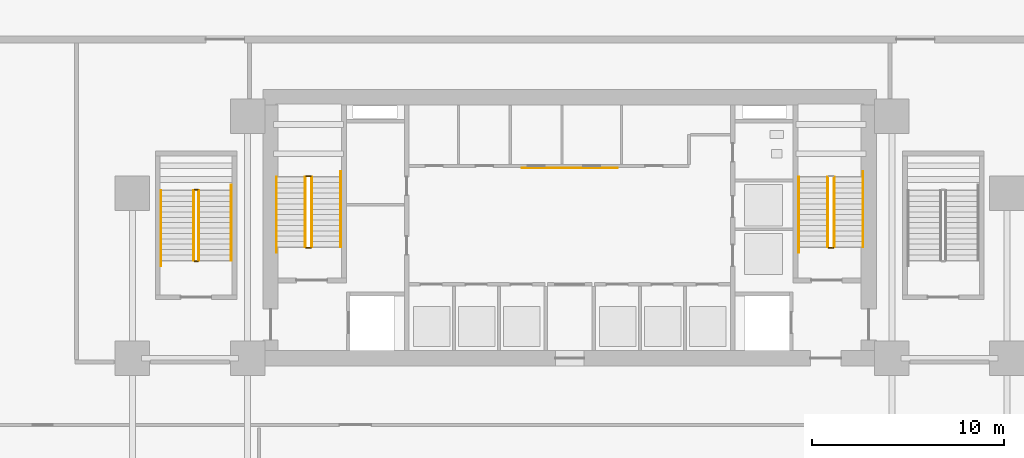
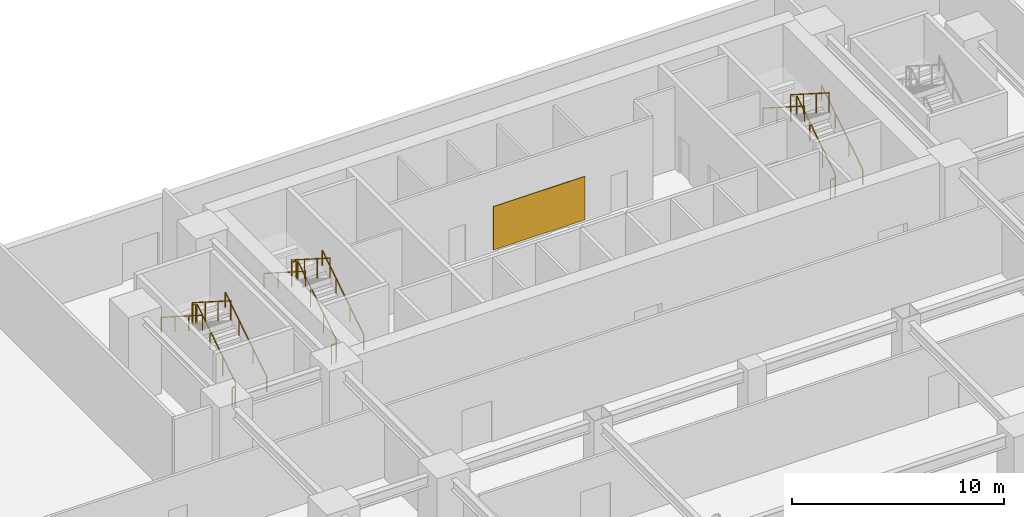
# One storey, part 14 of 18: 17 railings, 1 covering.
"""IFC4 building model written with IfcOpenShell, lengths in metres."""

from ifc_helpers import new_model, si_unit, direction, frame, origin, origin_2d, place, context, subcontext, project, spatial, rectangle, extrude, source, transform, mapped, material, layer, layer_set, type_object, element, save


model = new_model("IFC4")

# Units and contexts
model_context = context("Model", 3, precision=1e-05, world=origin(), true_north=direction((0.0, 1.0)))
body_context = subcontext(model_context, "Body", "Model", "MODEL_VIEW")
ifc_project = project(units=[si_unit("LENGTHUNIT", "METRE"), si_unit("AREAUNIT", "SQUARE_METRE"), si_unit("VOLUMEUNIT", "CUBIC_METRE"), si_unit("PLANEANGLEUNIT", "RADIAN"), si_unit("MASSUNIT", "GRAM", prefix="KILO")], contexts=[model_context])

# Site, building, storey
site_placement = place(None, origin())
site = spatial("IfcSite", under=ifc_project, at=site_placement, CompositionType="ELEMENT")
building_placement = place(site_placement, origin())
building = spatial("IfcBuilding", under=site, at=building_placement, Name="Sumidabori Civic Tower", CompositionType="ELEMENT")
storey_placement = place(building_placement, origin())
storey = spatial("IfcBuildingStorey", under=building, at=storey_placement, Name="L00", CompositionType="ELEMENT", Elevation=0.0)

# Railings
ifc_material_1 = material(Name="Stainless Steel Hairline Finish", Category="steel")
railing_type_1 = type_object("IfcRailingType", Name="RL-HANDRAIL", PredefinedType="HANDRAIL", material=ifc_material_1)
railing_1_placement = place(storey_placement, frame((-11.949951171875, 16.0, 0.178466796875)))
element("IfcRailing", 1, at=railing_1_placement, inside=storey, type_object=railing_type_1, Name="L00 ST-1 stair handrail 1", PredefinedType="HANDRAIL", context=body_context, shape_type="SweptSolid", body=[
    extrude(rectangle(XDim=0.048095703125, YDim=0.048095703125, at=origin_2d()), frame((0.0, 0.0, 0.8759765625), z_axis=(0.0, 0.842743883788, 0.53831472796), x_axis=(-1.0, 0.0, 0.0)), (0.0, 0.0, 1.0), 4.6513671875),
    extrude(rectangle(XDim=0.0419921875, YDim=0.0419921875, at=origin_2d()), origin(), (0.0, 0.0, 1.0), 0.851806640625),
    extrude(rectangle(XDim=0.0419921875, YDim=0.0419921875, at=origin_2d()), frame((0.0, 1.306640625, 0.834716796875)), (0.0, 0.0, 1.0), 0.851806640625),
    extrude(rectangle(XDim=0.0419921875, YDim=0.0419921875, at=origin_2d()), frame((0.0, 2.61328125, 1.669189453125)), (0.0, 0.0, 1.0), 0.851806640625),
    extrude(rectangle(XDim=0.0419921875, YDim=0.0419921875, at=origin_2d()), frame((0.0, 3.919921875, 2.50390625)), (0.0, 0.0, 1.0), 0.851806640625),
])
railing_2_placement = place(storey_placement, frame((-15.2900390625, 19.639892578125, 2.678466796875)))
element("IfcRailing", 2, at=railing_2_placement, inside=storey, type_object=railing_type_1, Name="L00 ST-1 stair handrail 2", PredefinedType="HANDRAIL", context=body_context, shape_type="SweptSolid", body=[
    extrude(rectangle(XDim=0.048095703125, YDim=0.048095703125, at=origin_2d()), frame((0.0, 0.0, 0.8759765625), z_axis=(0.0, -0.842743883788, 0.53831472796), x_axis=(1.0, 0.0, 0.0)), (0.0, 0.0, 1.0), 4.6513671875),
    extrude(rectangle(XDim=0.0419921875, YDim=0.0419921875, at=origin_2d()), origin(), (0.0, 0.0, 1.0), 0.851806640625),
    extrude(rectangle(XDim=0.0419921875, YDim=0.0419921875, at=origin_2d()), frame((0.0, -1.306640625, 0.834716796875)), (0.0, 0.0, 1.0), 0.851806640625),
    extrude(rectangle(XDim=0.0419921875, YDim=0.0419921875, at=origin_2d()), frame((0.0, -2.61328125, 1.669189453125)), (0.0, 0.0, 1.0), 0.851806640625),
    extrude(rectangle(XDim=0.0419921875, YDim=0.0419921875, at=origin_2d()), frame((0.0, -3.919921875, 2.50390625)), (0.0, 0.0, 1.0), 0.851806640625),
])
railing_3_placement = place(storey_placement, frame((15.2900390625, 16.0, 0.178466796875)))
element("IfcRailing", 3, at=railing_3_placement, inside=storey, type_object=railing_type_1, Name="L00 ST-2 stair handrail 1", PredefinedType="HANDRAIL", context=body_context, shape_type="SweptSolid", body=[
    extrude(rectangle(XDim=0.048095703125, YDim=0.048095703125, at=origin_2d()), frame((0.0, 0.0, 0.8759765625), z_axis=(0.0, 0.842743883788, 0.53831472796), x_axis=(-1.0, 0.0, 0.0)), (0.0, 0.0, 1.0), 4.6513671875),
    extrude(rectangle(XDim=0.0419921875, YDim=0.0419921875, at=origin_2d()), origin(), (0.0, 0.0, 1.0), 0.851806640625),
    extrude(rectangle(XDim=0.0419921875, YDim=0.0419921875, at=origin_2d()), frame((0.0, 1.306640625, 0.834716796875)), (0.0, 0.0, 1.0), 0.851806640625),
    extrude(rectangle(XDim=0.0419921875, YDim=0.0419921875, at=origin_2d()), frame((0.0, 2.61328125, 1.669189453125)), (0.0, 0.0, 1.0), 0.851806640625),
    extrude(rectangle(XDim=0.0419921875, YDim=0.0419921875, at=origin_2d()), frame((0.0, 3.919921875, 2.50390625)), (0.0, 0.0, 1.0), 0.851806640625),
])
railing_4_placement = place(storey_placement, frame((11.949951171875, 19.639892578125, 2.678466796875)))
element("IfcRailing", 4, at=railing_4_placement, inside=storey, type_object=railing_type_1, Name="L00 ST-2 stair handrail 2", PredefinedType="HANDRAIL", context=body_context, shape_type="SweptSolid", body=[
    extrude(rectangle(XDim=0.048095703125, YDim=0.048095703125, at=origin_2d()), frame((0.0, 0.0, 0.8759765625), z_axis=(0.0, -0.842743883788, 0.53831472796), x_axis=(1.0, 0.0, 0.0)), (0.0, 0.0, 1.0), 4.6513671875),
    extrude(rectangle(XDim=0.0419921875, YDim=0.0419921875, at=origin_2d()), origin(), (0.0, 0.0, 1.0), 0.851806640625),
    extrude(rectangle(XDim=0.0419921875, YDim=0.0419921875, at=origin_2d()), frame((0.0, -1.306640625, 0.834716796875)), (0.0, 0.0, 1.0), 0.851806640625),
    extrude(rectangle(XDim=0.0419921875, YDim=0.0419921875, at=origin_2d()), frame((0.0, -2.61328125, 1.669189453125)), (0.0, 0.0, 1.0), 0.851806640625),
    extrude(rectangle(XDim=0.0419921875, YDim=0.0419921875, at=origin_2d()), frame((0.0, -3.919921875, 2.50390625)), (0.0, 0.0, 1.0), 0.851806640625),
])
railing_5_placement = place(storey_placement, frame((-17.64990234375, 15.300048828125, 0.178466796875)))
element("IfcRailing", 5, at=railing_5_placement, inside=storey, type_object=railing_type_1, Name="L00 ST-3 stair handrail 1", PredefinedType="HANDRAIL", context=body_context, shape_type="SweptSolid", body=[
    extrude(rectangle(XDim=0.048095703125, YDim=0.048095703125, at=origin_2d()), frame((0.0, 0.0, 0.8759765625), z_axis=(0.0, 0.842743883788, 0.53831472796), x_axis=(-1.0, 0.0, 0.0)), (0.0, 0.0, 1.0), 4.6513671875),
    extrude(rectangle(XDim=0.0419921875, YDim=0.0419921875, at=origin_2d()), origin(), (0.0, 0.0, 1.0), 0.851806640625),
    extrude(rectangle(XDim=0.0419921875, YDim=0.0419921875, at=origin_2d()), frame((0.0, 1.306640625, 0.834716796875)), (0.0, 0.0, 1.0), 0.851806640625),
    extrude(rectangle(XDim=0.0419921875, YDim=0.0419921875, at=origin_2d()), frame((0.0, 2.61328125, 1.669189453125)), (0.0, 0.0, 1.0), 0.851806640625),
    extrude(rectangle(XDim=0.0419921875, YDim=0.0419921875, at=origin_2d()), frame((0.0, 3.919921875, 2.50390625)), (0.0, 0.0, 1.0), 0.851806640625),
])
railing_6_placement = place(storey_placement, frame((-21.31005859375, 18.93994140625, 2.678466796875)))
element("IfcRailing", 6, at=railing_6_placement, inside=storey, type_object=railing_type_1, Name="L00 ST-3 stair handrail 2", PredefinedType="HANDRAIL", context=body_context, shape_type="SweptSolid", body=[
    extrude(rectangle(XDim=0.048095703125, YDim=0.048095703125, at=origin_2d()), frame((0.0, 0.0, 0.8759765625), z_axis=(0.0, -0.842743883788, 0.53831472796), x_axis=(1.0, 0.0, 0.0)), (0.0, 0.0, 1.0), 4.6513671875),
    extrude(rectangle(XDim=0.0419921875, YDim=0.0419921875, at=origin_2d()), origin(), (0.0, 0.0, 1.0), 0.851806640625),
    extrude(rectangle(XDim=0.0419921875, YDim=0.0419921875, at=origin_2d()), frame((0.0, -1.306640625, 0.834716796875)), (0.0, 0.0, 1.0), 0.851806640625),
    extrude(rectangle(XDim=0.0419921875, YDim=0.0419921875, at=origin_2d()), frame((0.0, -2.61328125, 1.669189453125)), (0.0, 0.0, 1.0), 0.851806640625),
    extrude(rectangle(XDim=0.0419921875, YDim=0.0419921875, at=origin_2d()), frame((0.0, -3.919921875, 2.50390625)), (0.0, 0.0, 1.0), 0.851806640625),
])
ifc_material_2 = material(Name="Steel SN490", Category="steel")
railing_type_2 = type_object("IfcRailingType", Name="RL-STAIR-GUARD", PredefinedType="GUARDRAIL", material=ifc_material_2)
railing_7_placement = place(storey_placement, frame((-13.449951171875, 16.0, 0.178466796875)))
element("IfcRailing", 7, at=railing_7_placement, inside=storey, type_object=railing_type_2, Name="L00 ST-1 stair guard 1", PredefinedType="GUARDRAIL", context=body_context, shape_type="SweptSolid", body=[
    extrude(rectangle(XDim=0.048095703125, YDim=0.048095703125, at=origin_2d()), frame((0.0, 0.0, 1.1259765625), z_axis=(0.0, 0.843111507901, 0.53773877045), x_axis=(-1.0, 0.0, 0.0)), (0.0, 0.0, 1.0), 4.317138671875),
    extrude(rectangle(XDim=0.0419921875, YDim=0.0419921875, at=origin_2d()), origin(), (0.0, 0.0, 1.0), 1.101806640625),
    extrude(rectangle(XDim=0.0419921875, YDim=0.0419921875, at=origin_2d()), frame((0.0, 1.21337890625, 0.77392578125)), (0.0, 0.0, 1.0), 1.101806640625),
    extrude(rectangle(XDim=0.0419921875, YDim=0.0419921875, at=origin_2d()), frame((0.0, 2.426513671875, 1.547607421875)), (0.0, 0.0, 1.0), 1.101806640625),
    extrude(rectangle(XDim=0.0419921875, YDim=0.0419921875, at=origin_2d()), frame((0.0, 3.639892578125, 2.321533203125)), (0.0, 0.0, 1.0), 1.101806640625),
])
railing_8_placement = place(storey_placement, frame((-13.5, 19.68994140625, 2.5)))
element("IfcRailing", 8, at=railing_8_placement, inside=storey, type_object=railing_type_2, Name="L00 ST-1 stair guard 2", PredefinedType="GUARDRAIL", context=body_context, shape_type="SweptSolid", body=[
    extrude(rectangle(XDim=0.048095703125, YDim=0.048095703125, at=origin_2d()), frame((0.0, 0.0, 1.1259765625), z_axis=(-1.0, 0.0, 0.0), x_axis=(0.0, -1.0, 0.0)), (0.0, 0.0, 1.0), 0.239990234375),
    extrude(rectangle(XDim=0.0419921875, YDim=0.0419921875, at=origin_2d()), origin(), (0.0, 0.0, 1.0), 1.101806640625),
    extrude(rectangle(XDim=0.0419921875, YDim=0.0419921875, at=origin_2d()), frame((-0.239990234375, 0.0, 0.0)), (0.0, 0.0, 1.0), 1.101806640625),
])
railing_9_placement = place(storey_placement, frame((-13.7900390625, 19.639892578125, 2.678466796875)))
element("IfcRailing", 9, at=railing_9_placement, inside=storey, type_object=railing_type_2, Name="L00 ST-1 stair guard 3", PredefinedType="GUARDRAIL", context=body_context, shape_type="SweptSolid", body=[
    extrude(rectangle(XDim=0.048095703125, YDim=0.048095703125, at=origin_2d()), frame((0.0, 0.0, 1.1259765625), z_axis=(0.0, -0.843111507901, 0.53773877045), x_axis=(1.0, 0.0, 0.0)), (0.0, 0.0, 1.0), 4.317138671875),
    extrude(rectangle(XDim=0.0419921875, YDim=0.0419921875, at=origin_2d()), origin(), (0.0, 0.0, 1.0), 1.101806640625),
    extrude(rectangle(XDim=0.0419921875, YDim=0.0419921875, at=origin_2d()), frame((0.0, -1.21337890625, 0.77392578125)), (0.0, 0.0, 1.0), 1.101806640625),
    extrude(rectangle(XDim=0.0419921875, YDim=0.0419921875, at=origin_2d()), frame((0.0, -2.426513671875, 1.547607421875)), (0.0, 0.0, 1.0), 1.101806640625),
    extrude(rectangle(XDim=0.0419921875, YDim=0.0419921875, at=origin_2d()), frame((0.0, -3.639892578125, 2.321533203125)), (0.0, 0.0, 1.0), 1.101806640625),
])
railing_10_placement = place(storey_placement, frame((-13.5, 15.949951171875, 0.0)))
element("IfcRailing", 10, at=railing_10_placement, inside=storey, type_object=railing_type_2, Name="L00 ST-1 stair guard 4", PredefinedType="GUARDRAIL", context=body_context, shape_type="SweptSolid", body=[
    extrude(rectangle(XDim=0.048095703125, YDim=0.048095703125, at=origin_2d()), frame((0.0, 0.0, 1.1259765625), z_axis=(-1.0, 0.0, 0.0), x_axis=(0.0, -1.0, 0.0)), (0.0, 0.0, 1.0), 0.239990234375),
    extrude(rectangle(XDim=0.0419921875, YDim=0.0419921875, at=origin_2d()), origin(), (0.0, 0.0, 1.0), 1.101806640625),
    extrude(rectangle(XDim=0.0419921875, YDim=0.0419921875, at=origin_2d()), frame((-0.239990234375, 0.0, 0.0)), (0.0, 0.0, 1.0), 1.101806640625),
])
railing_11_placement = place(storey_placement, frame((13.7900390625, 16.0, 0.178466796875)))
element("IfcRailing", 11, at=railing_11_placement, inside=storey, type_object=railing_type_2, Name="L00 ST-2 stair guard 1", PredefinedType="GUARDRAIL", context=body_context, shape_type="SweptSolid", body=[
    extrude(rectangle(XDim=0.048095703125, YDim=0.048095703125, at=origin_2d()), frame((0.0, 0.0, 1.1259765625), z_axis=(0.0, 0.843111507901, 0.53773877045), x_axis=(-1.0, 0.0, 0.0)), (0.0, 0.0, 1.0), 4.317138671875),
    extrude(rectangle(XDim=0.0419921875, YDim=0.0419921875, at=origin_2d()), origin(), (0.0, 0.0, 1.0), 1.101806640625),
    extrude(rectangle(XDim=0.0419921875, YDim=0.0419921875, at=origin_2d()), frame((0.0, 1.21337890625, 0.77392578125)), (0.0, 0.0, 1.0), 1.101806640625),
    extrude(rectangle(XDim=0.0419921875, YDim=0.0419921875, at=origin_2d()), frame((0.0, 2.426513671875, 1.547607421875)), (0.0, 0.0, 1.0), 1.101806640625),
    extrude(rectangle(XDim=0.0419921875, YDim=0.0419921875, at=origin_2d()), frame((0.0, 3.639892578125, 2.321533203125)), (0.0, 0.0, 1.0), 1.101806640625),
])
railing_12_placement = place(storey_placement, frame((13.449951171875, 19.639892578125, 2.678466796875)))
element("IfcRailing", 12, at=railing_12_placement, inside=storey, type_object=railing_type_2, Name="L00 ST-2 stair guard 3", PredefinedType="GUARDRAIL", context=body_context, shape_type="SweptSolid", body=[
    extrude(rectangle(XDim=0.048095703125, YDim=0.048095703125, at=origin_2d()), frame((0.0, 0.0, 1.1259765625), z_axis=(0.0, -0.843111507901, 0.53773877045), x_axis=(1.0, 0.0, 0.0)), (0.0, 0.0, 1.0), 4.317138671875),
    extrude(rectangle(XDim=0.0419921875, YDim=0.0419921875, at=origin_2d()), origin(), (0.0, 0.0, 1.0), 1.101806640625),
    extrude(rectangle(XDim=0.0419921875, YDim=0.0419921875, at=origin_2d()), frame((0.0, -1.21337890625, 0.77392578125)), (0.0, 0.0, 1.0), 1.101806640625),
    extrude(rectangle(XDim=0.0419921875, YDim=0.0419921875, at=origin_2d()), frame((0.0, -2.426513671875, 1.547607421875)), (0.0, 0.0, 1.0), 1.101806640625),
    extrude(rectangle(XDim=0.0419921875, YDim=0.0419921875, at=origin_2d()), frame((0.0, -3.639892578125, 2.321533203125)), (0.0, 0.0, 1.0), 1.101806640625),
])
railing_13_placement = place(storey_placement, frame((13.739990234375, 15.949951171875, 0.0)))
element("IfcRailing", 13, at=railing_13_placement, inside=storey, type_object=railing_type_2, Name="L00 ST-2 stair guard 4", PredefinedType="GUARDRAIL", context=body_context, shape_type="SweptSolid", body=[
    extrude(rectangle(XDim=0.048095703125, YDim=0.048095703125, at=origin_2d()), frame((0.0, 0.0, 1.1259765625), z_axis=(-1.0, 0.0, 0.0), x_axis=(0.0, -1.0, 0.0)), (0.0, 0.0, 1.0), 0.239990234375),
    extrude(rectangle(XDim=0.0419921875, YDim=0.0419921875, at=origin_2d()), origin(), (0.0, 0.0, 1.0), 1.101806640625),
    extrude(rectangle(XDim=0.0419921875, YDim=0.0419921875, at=origin_2d()), frame((-0.239990234375, 0.0, 0.0)), (0.0, 0.0, 1.0), 1.101806640625),
])
railing_14_placement = place(storey_placement, frame((-19.35009765625, 15.300048828125, 0.178466796875)))
element("IfcRailing", 14, at=railing_14_placement, inside=storey, type_object=railing_type_2, Name="L00 ST-3 stair guard 1", PredefinedType="GUARDRAIL", context=body_context, shape_type="SweptSolid", body=[
    extrude(rectangle(XDim=0.048095703125, YDim=0.048095703125, at=origin_2d()), frame((0.0, 0.0, 1.1259765625), z_axis=(0.0, 0.843111507901, 0.53773877045), x_axis=(-1.0, 0.0, 0.0)), (0.0, 0.0, 1.0), 4.317138671875),
    extrude(rectangle(XDim=0.0419921875, YDim=0.0419921875, at=origin_2d()), origin(), (0.0, 0.0, 1.0), 1.101806640625),
    extrude(rectangle(XDim=0.0419921875, YDim=0.0419921875, at=origin_2d()), frame((0.0, 1.21337890625, 0.77392578125)), (0.0, 0.0, 1.0), 1.101806640625),
    extrude(rectangle(XDim=0.0419921875, YDim=0.0419921875, at=origin_2d()), frame((0.0, 2.426513671875, 1.547607421875)), (0.0, 0.0, 1.0), 1.101806640625),
    extrude(rectangle(XDim=0.0419921875, YDim=0.0419921875, at=origin_2d()), frame((0.0, 3.639892578125, 2.321533203125)), (0.0, 0.0, 1.0), 1.101806640625),
])
railing_15_placement = place(storey_placement, frame((-19.39990234375, 18.989990234375, 2.5)))
element("IfcRailing", 15, at=railing_15_placement, inside=storey, type_object=railing_type_2, Name="L00 ST-3 stair guard 2", PredefinedType="GUARDRAIL", context=body_context, shape_type="SweptSolid", body=[
    extrude(rectangle(XDim=0.048095703125, YDim=0.048095703125, at=origin_2d()), frame((0.0, 0.0, 1.1259765625), z_axis=(-1.0, 0.0, 0.0), x_axis=(0.0, -1.0, 0.0)), (0.0, 0.0, 1.0), 0.16015625),
    extrude(rectangle(XDim=0.0419921875, YDim=0.0419921875, at=origin_2d()), origin(), (0.0, 0.0, 1.0), 1.101806640625),
    extrude(rectangle(XDim=0.0419921875, YDim=0.0419921875, at=origin_2d()), frame((-0.16015625, 0.0, 0.0)), (0.0, 0.0, 1.0), 1.101806640625),
])
railing_16_placement = place(storey_placement, frame((-19.610107421875, 18.93994140625, 2.678466796875)))
element("IfcRailing", 16, at=railing_16_placement, inside=storey, type_object=railing_type_2, Name="L00 ST-3 stair guard 3", PredefinedType="GUARDRAIL", context=body_context, shape_type="SweptSolid", body=[
    extrude(rectangle(XDim=0.048095703125, YDim=0.048095703125, at=origin_2d()), frame((0.0, 0.0, 1.1259765625), z_axis=(0.0, -0.843111507901, 0.53773877045), x_axis=(1.0, 0.0, 0.0)), (0.0, 0.0, 1.0), 4.317138671875),
    extrude(rectangle(XDim=0.0419921875, YDim=0.0419921875, at=origin_2d()), origin(), (0.0, 0.0, 1.0), 1.101806640625),
    extrude(rectangle(XDim=0.0419921875, YDim=0.0419921875, at=origin_2d()), frame((0.0, -1.21337890625, 0.77392578125)), (0.0, 0.0, 1.0), 1.101806640625),
    extrude(rectangle(XDim=0.0419921875, YDim=0.0419921875, at=origin_2d()), frame((0.0, -2.426513671875, 1.547607421875)), (0.0, 0.0, 1.0), 1.101806640625),
    extrude(rectangle(XDim=0.0419921875, YDim=0.0419921875, at=origin_2d()), frame((0.0, -3.639892578125, 2.321533203125)), (0.0, 0.0, 1.0), 1.101806640625),
])
railing_17_placement = place(storey_placement, frame((-19.39990234375, 15.25, 0.0)))
element("IfcRailing", 17, at=railing_17_placement, inside=storey, type_object=railing_type_2, Name="L00 ST-3 stair guard 4", PredefinedType="GUARDRAIL", context=body_context, shape_type="SweptSolid", body=[
    extrude(rectangle(XDim=0.048095703125, YDim=0.048095703125, at=origin_2d()), frame((0.0, 0.0, 1.1259765625), z_axis=(-1.0, 0.0, 0.0), x_axis=(0.0, -1.0, 0.0)), (0.0, 0.0, 1.0), 0.16015625),
    extrude(rectangle(XDim=0.0419921875, YDim=0.0419921875, at=origin_2d()), origin(), (0.0, 0.0, 1.0), 1.101806640625),
    extrude(rectangle(XDim=0.0419921875, YDim=0.0419921875, at=origin_2d()), frame((-0.16015625, 0.0, 0.0)), (0.0, 0.0, 1.0), 1.101806640625),
])

# Covering
ifc_material_3 = material(Name="Anodised Bronze Aluminium Core Cladding", Category="aluminium")
ifc_layer = layer(ifc_material_3, 0.0400390625, Name="Anodised Bronze Aluminium Core Cladding")
ifc_layer_set = layer_set([ifc_layer], Name="Anodised Bronze Aluminium Core Cladding")
covering_type = type_object("IfcCoveringType", Name="CV-CLAD-BRZ", PredefinedType="CLADDING", material=ifc_layer_set)
shared_shape = source(origin(), body_context, "Body", "SweptSolid", [
    extrude(rectangle(XDim=5.0, YDim=0.0400390625, at=origin_2d()), origin(), (0.0, 0.0, 1.0), 2.5),
])
covering_placement = place(storey_placement, frame((0.0, 20.1201171875, 0.14990234375), z_axis=(0.0, 0.0, 1.0), x_axis=(1.0, 0.0, 0.0)))
element("IfcCovering", 18, at=covering_placement, inside=storey, type_object=covering_type, Name="Bronze Core Lobby Feature Cladding L00", PredefinedType="CLADDING", context=body_context, shape_type="MappedRepresentation", body=[
    mapped(shared_shape, transform((0.0, 0.0, 0.0), x_axis=(1.0, 0.0, 0.0), y_axis=(0.0, 1.0, 0.0), z_axis=(0.0, 0.0, 1.0), scale=1.0)),
])

save(model, "model.ifc")
